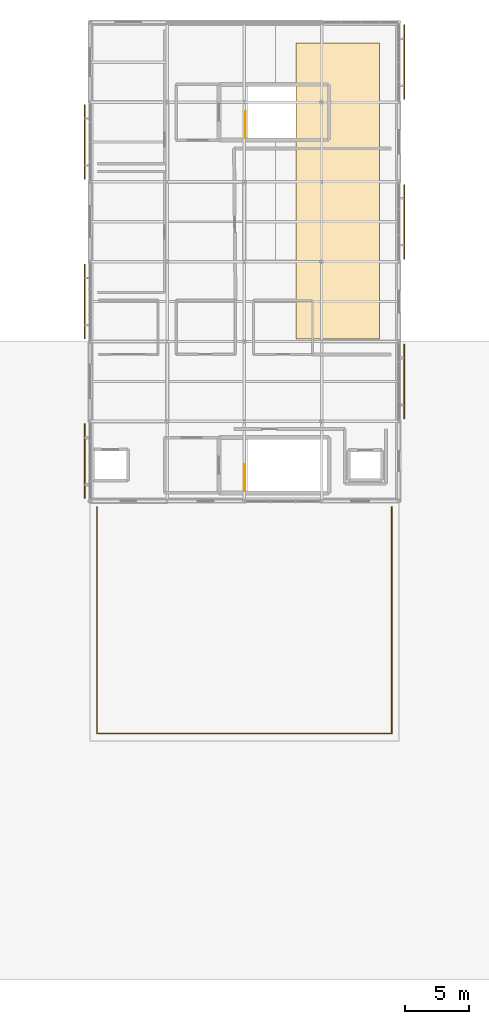
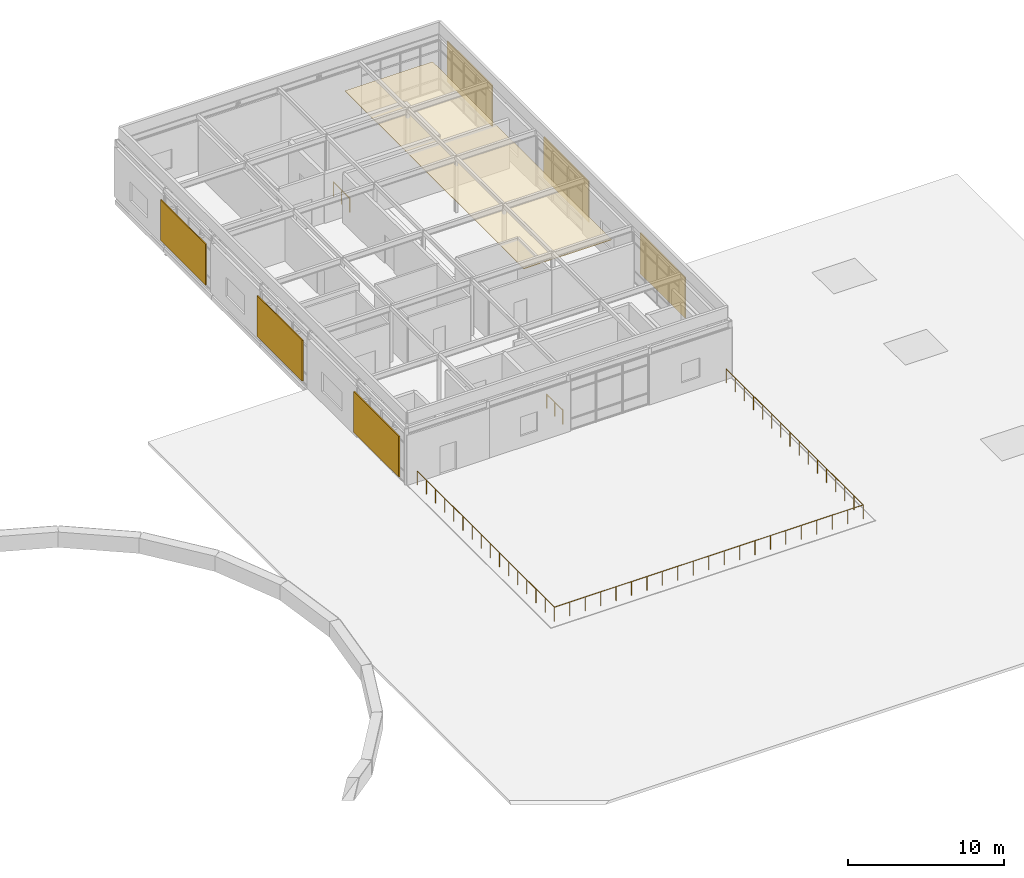
# One storey, part 16 of 16: 6 shading devices, 3 railings, 1 covering.
"""IFC4 building model written with IfcOpenShell, lengths in metres."""

from ifc_helpers import new_model, si_unit, direction, frame, origin, origin_2d, place, context, subcontext, project, spatial, polyline, rectangle, circle, outline, extrude, material, layer, layer_set, type_object, element, save


model = new_model("IFC4")

# Units and contexts
model_context = context("Model", 3, precision=1e-05, world=origin(), true_north=direction((0.0, 1.0)))
body_context = subcontext(model_context, "Body", "Model", "MODEL_VIEW")
ifc_project = project(units=[si_unit("LENGTHUNIT", "METRE"), si_unit("AREAUNIT", "SQUARE_METRE"), si_unit("VOLUMEUNIT", "CUBIC_METRE"), si_unit("PLANEANGLEUNIT", "RADIAN"), si_unit("MASSUNIT", "GRAM", prefix="KILO")], contexts=[model_context])

# Site, building, storey
site_placement = place(None, origin())
site = spatial("IfcSite", under=ifc_project, at=site_placement, CompositionType="ELEMENT")
building_placement = place(site_placement, origin())
building = spatial("IfcBuilding", under=site, at=building_placement, Name="Mirzam Square Science Centre", CompositionType="ELEMENT")
storey_placement = place(building_placement, frame((0.0, 0.0, 25.199951171875)))
storey = spatial("IfcBuildingStorey", under=building, at=storey_placement, Name="L05", CompositionType="ELEMENT", Elevation=25.199951171875)

# Covering
ifc_material_1 = material(Name="Perforated Mineral-Wool Acoustic Ceiling", Category="gypsum")
ifc_layer_1 = layer(ifc_material_1, 0.0400390625)
ifc_layer_set_1 = layer_set([ifc_layer_1], Name="COV-ACOUST-CEIL")
covering_type = type_object("IfcCoveringType", Name="COV-ACOUST-CEIL", PredefinedType="CEILING", material=ifc_layer_set_1)
covering_placement = place(storey_placement, frame((0.0, 0.0, 3.610107421875)))
element("IfcCovering", 1, at=covering_placement, inside=storey, type_object=covering_type, Name="L05 acoustic ceiling 08", PredefinedType="CEILING", context=body_context, shape_type="SweptSolid", body=[
    extrude(outline(polyline([(130.0, 87.0), (136.5, 87.0), (136.5, 110.0), (130.0, 110.0), (130.0, 87.0)])), origin(), (0.0, 0.0, 1.0), 0.0400390625),
])

# Railings
ifc_material_2 = material(Name="Bronze-Anodised Architectural Balustrade", Category="aluminium")
railing_type_1 = type_object("IfcRailingType", Name="RL-INT-GUARD-1100", PredefinedType="GUARDRAIL", material=ifc_material_2)
railing_1_placement = place(storey_placement, frame((126.06005859375, 75.199951171875, 0.0)))
element("IfcRailing", 2, at=railing_1_placement, inside=storey, type_object=railing_type_1, Name="L05 ST-04 top well guard 1", PredefinedType="GUARDRAIL", context=body_context, shape_type="SweptSolid", body=[
    extrude(circle(Radius=0.02392578125, at=origin_2d()), frame((0.0, 0.0, 1.076171875), z_axis=(0.0, 1.0, 0.0), x_axis=(-1.0, 0.0, 0.0)), (0.0, 0.0, 1.0), 2.06005859375),
    extrude(circle(Radius=0.02099609375, at=origin_2d()), origin(), (0.0, 0.0, 1.0), 1.052001953125),
    extrude(circle(Radius=0.02099609375, at=origin_2d()), frame((0.0, 1.030029296875, 0.0)), (0.0, 0.0, 1.0), 1.052001953125),
    extrude(circle(Radius=0.02099609375, at=origin_2d()), frame((0.0, 2.06005859375, 0.0)), (0.0, 0.0, 1.0), 1.052001953125),
])
railing_2_placement = place(storey_placement, frame((126.080078125, 102.60009765625, 0.0)))
element("IfcRailing", 3, at=railing_2_placement, inside=storey, type_object=railing_type_1, Name="L05 ST-11 top well guard 1", PredefinedType="GUARDRAIL", context=body_context, shape_type="SweptSolid", body=[
    extrude(circle(Radius=0.02392578125, at=origin_2d()), frame((0.0, 0.0, 1.076171875), z_axis=(0.0, 1.0, 0.0), x_axis=(-1.0, 0.0, 0.0)), (0.0, 0.0, 1.0), 2.079833984375),
    extrude(circle(Radius=0.02099609375, at=origin_2d()), origin(), (0.0, 0.0, 1.0), 1.052001953125),
    extrude(circle(Radius=0.02099609375, at=origin_2d()), frame((0.0, 1.0400390625, 0.0)), (0.0, 0.0, 1.0), 1.052001953125),
    extrude(circle(Radius=0.02099609375, at=origin_2d()), frame((0.0, 2.079833984375, 0.0)), (0.0, 0.0, 1.0), 1.052001953125),
])
railing_type_2 = type_object("IfcRailingType", Name="RL-TERR-GUARD-1100", PredefinedType="GUARDRAIL", material=ifc_material_2)
railing_3_placement = place(storey_placement, frame((114.550048828125, 73.949951171875, 0.0)))
element("IfcRailing", 4, at=railing_3_placement, inside=storey, type_object=railing_type_2, Name="L05 rooftop observatory terrace perimeter guard", PredefinedType="GUARDRAIL", context=body_context, shape_type="SweptSolid", body=[
    extrude(circle(Radius=0.02392578125, at=origin_2d()), frame((0.0, 0.0, 1.09619140625), z_axis=(0.0, -1.0, 0.0), x_axis=(1.0, 0.0, 0.0)), (0.0, 0.0, 1.0), 17.599853515625),
    extrude(circle(Radius=0.02392578125, at=origin_2d()), frame((0.0, -17.599853515625, 1.09619140625), z_axis=(1.0, 0.0, 0.0), x_axis=(0.0, 1.0, 0.0)), (0.0, 0.0, 1.0), 22.89990234375),
    extrude(circle(Radius=0.02392578125, at=origin_2d()), frame((22.89990234375, -17.599853515625, 1.09619140625), z_axis=(0.0, 1.0, 0.0), x_axis=(-1.0, 0.0, 0.0)), (0.0, 0.0, 1.0), 17.599853515625),
    extrude(circle(Radius=0.02099609375, at=origin_2d()), origin(), (0.0, 0.0, 1.0), 1.072021484375),
    extrude(circle(Radius=0.02099609375, at=origin_2d()), frame((0.0, -1.17333984375, 0.0)), (0.0, 0.0, 1.0), 1.072021484375),
    extrude(circle(Radius=0.02099609375, at=origin_2d()), frame((0.0, -2.3466796875, 0.0)), (0.0, 0.0, 1.0), 1.072021484375),
    extrude(circle(Radius=0.02099609375, at=origin_2d()), frame((0.0, -3.52001953125, 0.0)), (0.0, 0.0, 1.0), 1.072021484375),
    extrude(circle(Radius=0.02099609375, at=origin_2d()), frame((0.0, -4.693359375, 0.0)), (0.0, 0.0, 1.0), 1.072021484375),
    extrude(circle(Radius=0.02099609375, at=origin_2d()), frame((0.0, -5.86669921875, 0.0)), (0.0, 0.0, 1.0), 1.072021484375),
    extrude(circle(Radius=0.02099609375, at=origin_2d()), frame((0.0, -7.0400390625, 0.0)), (0.0, 0.0, 1.0), 1.072021484375),
    extrude(circle(Radius=0.02099609375, at=origin_2d()), frame((0.0, -8.21337890625, 0.0)), (0.0, 0.0, 1.0), 1.072021484375),
    extrude(circle(Radius=0.02099609375, at=origin_2d()), frame((0.0, -9.386474609375, 0.0)), (0.0, 0.0, 1.0), 1.072021484375),
    extrude(circle(Radius=0.02099609375, at=origin_2d()), frame((0.0, -10.559814453125, 0.0)), (0.0, 0.0, 1.0), 1.072021484375),
    extrude(circle(Radius=0.02099609375, at=origin_2d()), frame((0.0, -11.733154296875, 0.0)), (0.0, 0.0, 1.0), 1.072021484375),
    extrude(circle(Radius=0.02099609375, at=origin_2d()), frame((0.0, -12.906494140625, 0.0)), (0.0, 0.0, 1.0), 1.072021484375),
    extrude(circle(Radius=0.02099609375, at=origin_2d()), frame((0.0, -14.079833984375, 0.0)), (0.0, 0.0, 1.0), 1.072021484375),
    extrude(circle(Radius=0.02099609375, at=origin_2d()), frame((0.0, -15.253173828125, 0.0)), (0.0, 0.0, 1.0), 1.072021484375),
    extrude(circle(Radius=0.02099609375, at=origin_2d()), frame((0.0, -16.426513671875, 0.0)), (0.0, 0.0, 1.0), 1.072021484375),
    extrude(circle(Radius=0.02099609375, at=origin_2d()), frame((0.0, -17.599853515625, 0.0)), (0.0, 0.0, 1.0), 1.072021484375),
    extrude(circle(Radius=0.02099609375, at=origin_2d()), frame((1.14501953125, -17.599853515625, 0.0)), (0.0, 0.0, 1.0), 1.072021484375),
    extrude(circle(Radius=0.02099609375, at=origin_2d()), frame((2.2900390625, -17.599853515625, 0.0)), (0.0, 0.0, 1.0), 1.072021484375),
    extrude(circle(Radius=0.02099609375, at=origin_2d()), frame((3.43505859375, -17.599853515625, 0.0)), (0.0, 0.0, 1.0), 1.072021484375),
    extrude(circle(Radius=0.02099609375, at=origin_2d()), frame((4.580078125, -17.599853515625, 0.0)), (0.0, 0.0, 1.0), 1.072021484375),
    extrude(circle(Radius=0.02099609375, at=origin_2d()), frame((5.72509765625, -17.599853515625, 0.0)), (0.0, 0.0, 1.0), 1.072021484375),
    extrude(circle(Radius=0.02099609375, at=origin_2d()), frame((6.869873046875, -17.599853515625, 0.0)), (0.0, 0.0, 1.0), 1.072021484375),
    extrude(circle(Radius=0.02099609375, at=origin_2d()), frame((8.014892578125, -17.599853515625, 0.0)), (0.0, 0.0, 1.0), 1.072021484375),
    extrude(circle(Radius=0.02099609375, at=origin_2d()), frame((9.159912109375, -17.599853515625, 0.0)), (0.0, 0.0, 1.0), 1.072021484375),
    extrude(circle(Radius=0.02099609375, at=origin_2d()), frame((10.304931640625, -17.599853515625, 0.0)), (0.0, 0.0, 1.0), 1.072021484375),
    extrude(circle(Radius=0.02099609375, at=origin_2d()), frame((11.449951171875, -17.599853515625, 0.0)), (0.0, 0.0, 1.0), 1.072021484375),
    extrude(circle(Radius=0.02099609375, at=origin_2d()), frame((12.594970703125, -17.599853515625, 0.0)), (0.0, 0.0, 1.0), 1.072021484375),
    extrude(circle(Radius=0.02099609375, at=origin_2d()), frame((13.739990234375, -17.599853515625, 0.0)), (0.0, 0.0, 1.0), 1.072021484375),
    extrude(circle(Radius=0.02099609375, at=origin_2d()), frame((14.885009765625, -17.599853515625, 0.0)), (0.0, 0.0, 1.0), 1.072021484375),
    extrude(circle(Radius=0.02099609375, at=origin_2d()), frame((16.030029296875, -17.599853515625, 0.0)), (0.0, 0.0, 1.0), 1.072021484375),
    extrude(circle(Radius=0.02099609375, at=origin_2d()), frame((17.1748046875, -17.599853515625, 0.0)), (0.0, 0.0, 1.0), 1.072021484375),
    extrude(circle(Radius=0.02099609375, at=origin_2d()), frame((18.31982421875, -17.599853515625, 0.0)), (0.0, 0.0, 1.0), 1.072021484375),
    extrude(circle(Radius=0.02099609375, at=origin_2d()), frame((19.46484375, -17.599853515625, 0.0)), (0.0, 0.0, 1.0), 1.072021484375),
    extrude(circle(Radius=0.02099609375, at=origin_2d()), frame((20.60986328125, -17.599853515625, 0.0)), (0.0, 0.0, 1.0), 1.072021484375),
    extrude(circle(Radius=0.02099609375, at=origin_2d()), frame((21.7548828125, -17.599853515625, 0.0)), (0.0, 0.0, 1.0), 1.072021484375),
    extrude(circle(Radius=0.02099609375, at=origin_2d()), frame((22.89990234375, -17.599853515625, 0.0)), (0.0, 0.0, 1.0), 1.072021484375),
    extrude(circle(Radius=0.02099609375, at=origin_2d()), frame((22.89990234375, -16.426513671875, 0.0)), (0.0, 0.0, 1.0), 1.072021484375),
    extrude(circle(Radius=0.02099609375, at=origin_2d()), frame((22.89990234375, -15.253173828125, 0.0)), (0.0, 0.0, 1.0), 1.072021484375),
    extrude(circle(Radius=0.02099609375, at=origin_2d()), frame((22.89990234375, -14.079833984375, 0.0)), (0.0, 0.0, 1.0), 1.072021484375),
    extrude(circle(Radius=0.02099609375, at=origin_2d()), frame((22.89990234375, -12.906494140625, 0.0)), (0.0, 0.0, 1.0), 1.072021484375),
    extrude(circle(Radius=0.02099609375, at=origin_2d()), frame((22.89990234375, -11.733154296875, 0.0)), (0.0, 0.0, 1.0), 1.072021484375),
    extrude(circle(Radius=0.02099609375, at=origin_2d()), frame((22.89990234375, -10.559814453125, 0.0)), (0.0, 0.0, 1.0), 1.072021484375),
    extrude(circle(Radius=0.02099609375, at=origin_2d()), frame((22.89990234375, -9.386474609375, 0.0)), (0.0, 0.0, 1.0), 1.072021484375),
    extrude(circle(Radius=0.02099609375, at=origin_2d()), frame((22.89990234375, -8.21337890625, 0.0)), (0.0, 0.0, 1.0), 1.072021484375),
    extrude(circle(Radius=0.02099609375, at=origin_2d()), frame((22.89990234375, -7.0400390625, 0.0)), (0.0, 0.0, 1.0), 1.072021484375),
    extrude(circle(Radius=0.02099609375, at=origin_2d()), frame((22.89990234375, -5.86669921875, 0.0)), (0.0, 0.0, 1.0), 1.072021484375),
    extrude(circle(Radius=0.02099609375, at=origin_2d()), frame((22.89990234375, -4.693359375, 0.0)), (0.0, 0.0, 1.0), 1.072021484375),
    extrude(circle(Radius=0.02099609375, at=origin_2d()), frame((22.89990234375, -3.52001953125, 0.0)), (0.0, 0.0, 1.0), 1.072021484375),
    extrude(circle(Radius=0.02099609375, at=origin_2d()), frame((22.89990234375, -2.3466796875, 0.0)), (0.0, 0.0, 1.0), 1.072021484375),
    extrude(circle(Radius=0.02099609375, at=origin_2d()), frame((22.89990234375, -1.17333984375, 0.0)), (0.0, 0.0, 1.0), 1.072021484375),
    extrude(circle(Radius=0.02099609375, at=origin_2d()), frame((22.89990234375, 0.0, 0.0)), (0.0, 0.0, 1.0), 1.072021484375),
])

# Shading devices
ifc_material_3 = material(Name="Perforated Bronze-Anodised Aluminium Brise-Soleil", Category="aluminium")
ifc_layer_2 = layer(ifc_material_3, 0.080078125)
ifc_layer_set_2 = layer_set([ifc_layer_2], Name="SHD-BRISE-BRONZE")
shading_device_type = type_object("IfcShadingDeviceType", Name="SHD-BRISE-BRONZE", PredefinedType="JALOUSIE", material=ifc_layer_set_2)
for number, where, z_axis, x_axis, name in (
    (5, (138.409912109375, 83.699951171875, 0.5703125), (0.0, 0.0, 1.0), (0.0, 1.0, 0.0), "L05 bronze brise-soleil screen 156"),
    (6, (138.409912109375, 96.10009765625, 0.5703125), (0.0, 0.0, 1.0), (0.0, 1.0, 0.0), "L05 bronze brise-soleil screen 157"),
    (7, (138.409912109375, 108.5, 0.5703125), (0.0, 0.0, 1.0), (0.0, 1.0, 0.0), "L05 bronze brise-soleil screen 158"),
    (8, (113.590087890625, 102.300048828125, 0.5703125), (0.0, 0.0, 1.0), (0.0, -1.0, 0.0), "L05 bronze brise-soleil screen 159"),
    (9, (113.590087890625, 89.89990234375, 0.5703125), (0.0, 0.0, 1.0), (0.0, -1.0, 0.0), "L05 bronze brise-soleil screen 160"),
    (10, (113.590087890625, 77.5, 0.5703125), (0.0, 0.0, 1.0), (0.0, -1.0, 0.0), "L05 bronze brise-soleil screen 161"),
):
    element("IfcShadingDevice", number, at=place(storey_placement, frame(where, z_axis=z_axis, x_axis=x_axis)), inside=storey, type_object=shading_device_type, Name=name, PredefinedType="JALOUSIE", context=body_context, shape_type="SweptSolid", body=[
        extrude(rectangle(XDim=5.7900390625, YDim=0.080078125, at=origin_2d()), origin(), (0.0, 0.0, 1.0), 3.199951171875),
    ])

save(model, "model.ifc")
